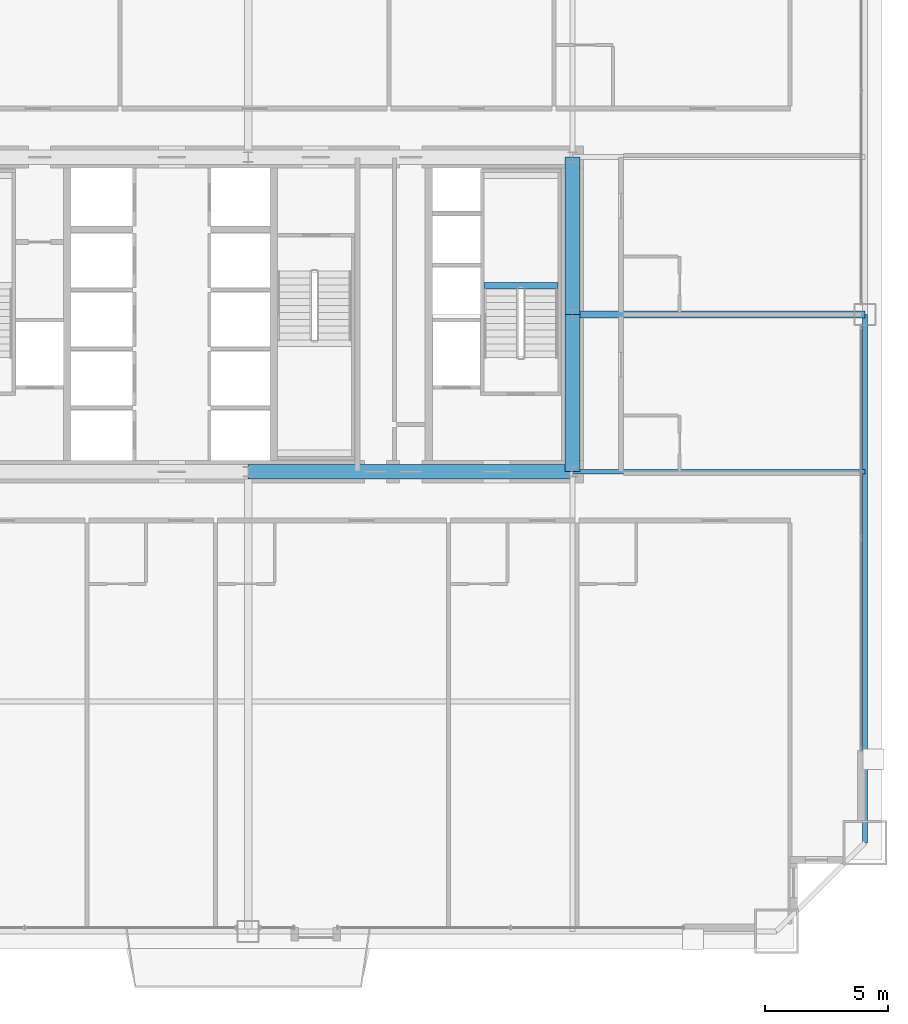
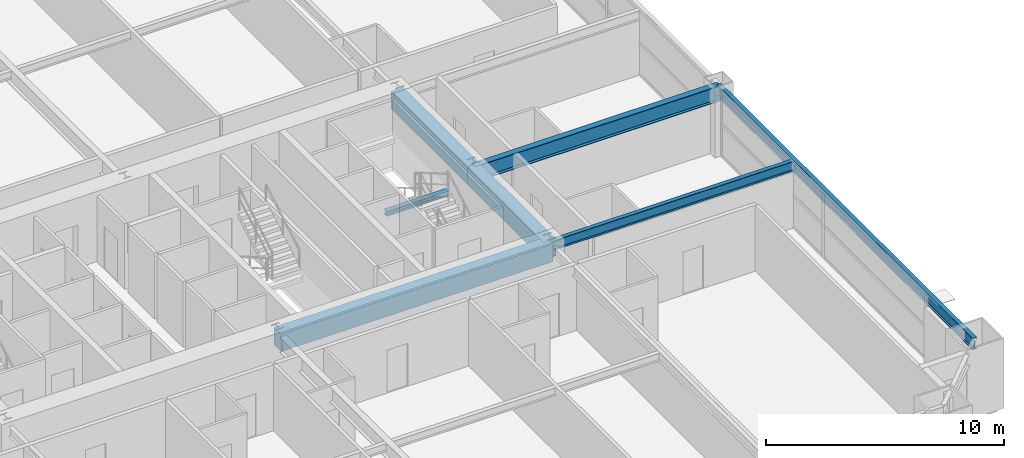
# One storey, part 18 of 43: 7 beams.
"""IFC4 building model written with IfcOpenShell, lengths in metres."""

from ifc_helpers import new_model, si_unit, direction, frame, origin, origin_2d, place, context, subcontext, project, spatial, rectangle, i_section, extrude, source, transform, mapped, material, material_profile, profile_set, type_object, element, save


model = new_model("IFC4")

# Units and contexts
model_context = context("Model", 3, precision=1e-05, world=origin(), true_north=direction((0.0, 1.0)))
body_context = subcontext(model_context, "Body", "Model", "MODEL_VIEW")
ifc_project = project(units=[si_unit("LENGTHUNIT", "METRE"), si_unit("AREAUNIT", "SQUARE_METRE"), si_unit("VOLUMEUNIT", "CUBIC_METRE"), si_unit("PLANEANGLEUNIT", "RADIAN"), si_unit("MASSUNIT", "GRAM", prefix="KILO"), si_unit("THERMODYNAMICTEMPERATUREUNIT", "KELVIN"), si_unit("POWERUNIT", "WATT")], contexts=[model_context])

# Site, building, storey
site_placement = place(None, origin())
site = spatial("IfcSite", under=ifc_project, at=site_placement, CompositionType="ELEMENT")
building_placement = place(site_placement, origin())
building = spatial("IfcBuilding", under=site, at=building_placement, Name="Yuzanri Waterfront Tower", CompositionType="ELEMENT")
storey_placement = place(building_placement, frame((0.0, 0.0, 64.0)))
storey = spatial("IfcBuildingStorey", under=building, at=storey_placement, Name="L16", CompositionType="ELEMENT", Elevation=64.0)

# Beams
ifc_material_1 = material(Name="Concrete C60", Category="concrete")
ifc_material_profile_1 = material_profile(ifc_material_1, rectangle(XDim=0.60009765625, YDim=0.89990234375, at=origin_2d()), Name="RC 600x900")
ifc_profile_set_1 = profile_set([ifc_material_profile_1], Name="Concrete C60")
beam_type_1 = type_object("IfcBeamType", Name="Core Coupling Lintel Concrete C60 600x900", PredefinedType="LINTEL", material=ifc_profile_set_1)
shared_shape_1 = source(origin(), body_context, "Body", "SweptSolid", [
    extrude(rectangle(XDim=0.60009765625, YDim=0.89990234375, at=origin_2d()), origin(), (0.0, 0.0, 1.0), 13.199951171875),
])
beam_1_placement = place(storey_placement, frame((37.0, 19.39990234375, 2.929931640625), z_axis=(1.0, 0.0, 0.0), x_axis=(0.0, 1.0, 0.0)))
element("IfcBeam", 1, at=beam_1_placement, inside=storey, type_object=beam_type_1, Name="L16 Core Tie Beam CS2", PredefinedType="LINTEL", context=body_context, shape_type="MappedRepresentation", body=[
    mapped(shared_shape_1, transform((0.0, 0.0, 0.0), scale=1.0)),
])
shared_shape_2 = source(origin(), body_context, "Body", "SweptSolid", [
    extrude(rectangle(XDim=0.60009765625, YDim=0.89990234375, at=origin_2d()), origin(), (0.0, 0.0, 1.0), 6.400146484375),
])
beam_2_placement = place(storey_placement, frame((50.199951171875, 19.39990234375, 2.929931640625), z_axis=(0.0, 1.0, 0.0), x_axis=(-1.0, 0.0, 0.0)))
element("IfcBeam", 2, at=beam_2_placement, inside=storey, type_object=beam_type_1, Name="L16 Core Tie Beam CE1", PredefinedType="LINTEL", context=body_context, shape_type="MappedRepresentation", body=[
    mapped(shared_shape_2, transform((0.0, 0.0, 0.0), scale=1.0)),
])
shared_shape_3 = source(origin(), body_context, "Body", "SweptSolid", [
    extrude(rectangle(XDim=0.60009765625, YDim=0.89990234375, at=origin_2d()), origin(), (0.0, 0.0, 1.0), 6.39990234375),
])
beam_3_placement = place(storey_placement, frame((50.199951171875, 25.800048828125, 2.929931640625), z_axis=(0.0, 1.0, 0.0), x_axis=(-1.0, 0.0, 0.0)))
element("IfcBeam", 3, at=beam_3_placement, inside=storey, type_object=beam_type_1, Name="L16 Core Tie Beam CE2", PredefinedType="LINTEL", context=body_context, shape_type="MappedRepresentation", body=[
    mapped(shared_shape_3, transform((0.0, 0.0, 0.0), scale=1.0)),
])
ifc_material_2 = material(Name="Steel Q355B", Category="steel")
ifc_material_profile_2 = material_profile(ifc_material_2, i_section(OverallWidth=0.199951171875, OverallDepth=0.60009765625, WebThickness=0.010986328125, FlangeThickness=0.01708984375, at=origin_2d()), Name="HN 600x200x11x17")
ifc_profile_set_2 = profile_set([ifc_material_profile_2], Name="Steel Q355B")
beam_type_2 = type_object("IfcBeamType", Name="Perimeter Spandrel Q355B HN 600x200", PredefinedType="SPANDREL", material=ifc_profile_set_2)
shared_shape_4 = source(origin(), body_context, "Body", "SweptSolid", [
    extrude(i_section(OverallWidth=0.199951171875, OverallDepth=0.60009765625, WebThickness=0.010986328125, FlangeThickness=0.01708984375, at=origin_2d()), origin(), (0.0, 0.0, 1.0), 21.5),
])
beam_4_placement = place(storey_placement, frame((62.10009765625, 4.300048828125, 3.080078125), z_axis=(0.0, 1.0, 0.0), x_axis=(-1.0, 0.0, 0.0)))
element("IfcBeam", 4, at=beam_4_placement, inside=storey, type_object=beam_type_2, Name="L16 Perimeter Spandrel E1-E2", PredefinedType="SPANDREL", context=body_context, shape_type="MappedRepresentation", body=[
    mapped(shared_shape_4, transform((0.0, 0.0, 0.0), scale=1.0)),
])
ifc_material_3 = material(Name="Steel Q355B", Category="steel")
ifc_material_profile_3 = material_profile(ifc_material_3, i_section(OverallWidth=0.300048828125, OverallDepth=0.800048828125, WebThickness=0.013916015625, FlangeThickness=0.02587890625, at=origin_2d()), Name="HN 800x300x14x26")
ifc_profile_set_3 = profile_set([ifc_material_profile_3], Name="Steel Q355B")
beam_type_3 = type_object("IfcBeamType", Name="Primary Floor Girder Q355B HN 800x300", PredefinedType="BEAM", material=ifc_profile_set_3)
shared_shape_5 = source(origin(), body_context, "Body", "SweptSolid", [
    extrude(i_section(OverallWidth=0.300048828125, OverallDepth=0.800048828125, WebThickness=0.013916015625, FlangeThickness=0.02587890625, at=origin_2d()), origin(), (0.0, 0.0, 1.0), 11.900146484375),
])
beam_5_placement = place(storey_placement, frame((50.199951171875, 25.800048828125, 2.97998046875), z_axis=(1.0, 0.0, 0.0), x_axis=(0.0, 1.0, 0.0)))
element("IfcBeam", 5, at=beam_5_placement, inside=storey, type_object=beam_type_3, Name="L16 East Grid Girder", PredefinedType="BEAM", context=body_context, shape_type="MappedRepresentation", body=[
    mapped(shared_shape_5, transform((0.0, 0.0, 0.0), scale=1.0)),
])
ifc_material_4 = material(Name="Steel Q355B", Category="steel")
ifc_material_profile_4 = material_profile(ifc_material_4, i_section(OverallWidth=0.199951171875, OverallDepth=0.5, WebThickness=0.010009765625, FlangeThickness=0.01611328125, at=origin_2d()), Name="HN 500x200x10x16")
ifc_profile_set_4 = profile_set([ifc_material_profile_4], Name="Steel Q355B")
beam_type_4 = type_object("IfcBeamType", Name="Secondary Floor Beam Q355B HN 500x200", PredefinedType="BEAM", material=ifc_profile_set_4)
shared_shape_6 = source(origin(), body_context, "Body", "SweptSolid", [
    extrude(i_section(OverallWidth=0.199951171875, OverallDepth=0.5, WebThickness=0.010009765625, FlangeThickness=0.01611328125, at=origin_2d()), origin(), (0.0, 0.0, 1.0), 11.900146484375),
])
beam_6_placement = place(storey_placement, frame((50.199951171875, 19.39990234375, 3.1298828125), z_axis=(1.0, 0.0, 0.0), x_axis=(0.0, 1.0, 0.0)))
element("IfcBeam", 6, at=beam_6_placement, inside=storey, type_object=beam_type_4, Name="L16 East-South Core Line Beam", PredefinedType="BEAM", context=body_context, shape_type="MappedRepresentation", body=[
    mapped(shared_shape_6, transform((0.0, 0.0, 0.0), scale=1.0)),
])
ifc_material_5 = material(Name="Steel Q355B", Category="steel")
ifc_material_profile_5 = material_profile(ifc_material_5, i_section(OverallWidth=0.25, OverallDepth=0.25, WebThickness=0.009033203125, FlangeThickness=0.013916015625, at=origin_2d()), Name="HW 250x250x9x14")
ifc_profile_set_5 = profile_set([ifc_material_profile_5], Name="Steel Q355B")
beam_type_5 = type_object("IfcBeamType", Name="Stair Landing Support Beam Q355B HW 250x250", PredefinedType="BEAM", material=ifc_profile_set_5)
shared_shape_7 = source(origin(), body_context, "Body", "SweptSolid", [
    extrude(i_section(OverallWidth=0.25, OverallDepth=0.25, WebThickness=0.009033203125, FlangeThickness=0.013916015625, at=origin_2d()), origin(), (0.0, 0.0, 1.0), 3.0),
])
beam_7_placement = place(storey_placement, frame((46.60009765625, 26.969970703125, 1.47509765625), z_axis=(1.0, 0.0, 0.0), x_axis=(0.0, 1.0, 0.0)))
element("IfcBeam", 7, at=beam_7_placement, inside=storey, type_object=beam_type_5, Name="L16 Stair Landing Support Beam ST-02-L16-L1-1", PredefinedType="BEAM", context=body_context, shape_type="MappedRepresentation", body=[
    mapped(shared_shape_7, transform((0.0, 0.0, 0.0), scale=1.0)),
])

save(model, "model.ifc")
